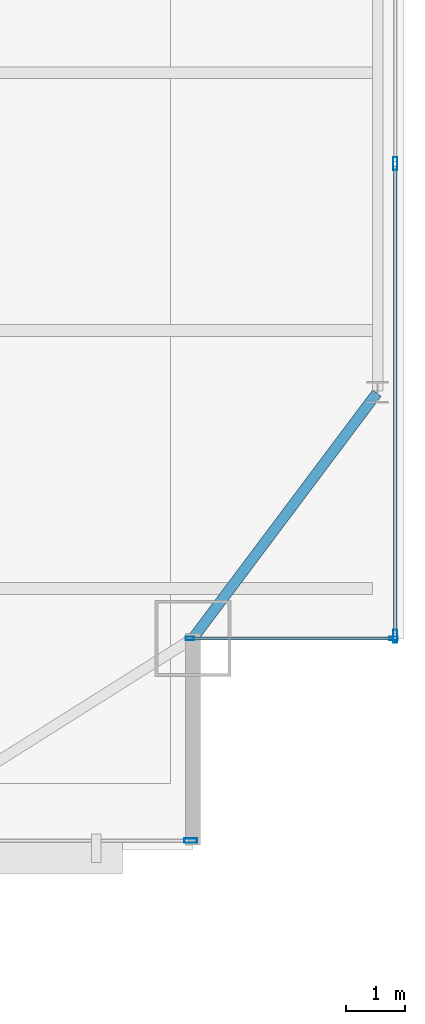
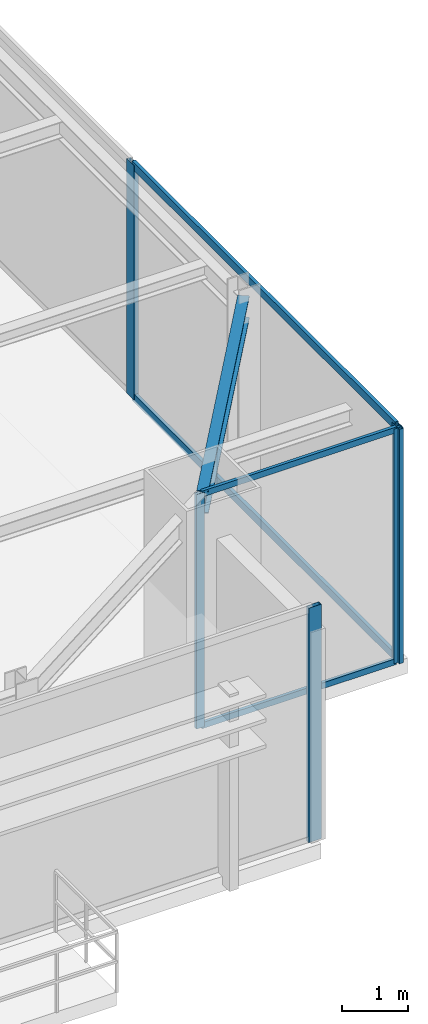
# One storey, part 15 of 25: 9 members, 1 beam, 3 elements without a shape of their own.
"""IFC4 building model written with IfcOpenShell, lengths in metres."""

from ifc_helpers import new_model, si_unit, direction, frame, origin, origin_2d, place, context, subcontext, project, spatial, hollow_rectangle, i_section, extrude, source, transform, mapped, material, layer, layer_set, material_profile, profile_set, type_object, type_shapes, element, aggregate, save


model = new_model("IFC4")

# Units and contexts
model_context = context("Model", 3, precision=1e-05, world=origin(), true_north=direction((0.0, 1.0)))
body_context = subcontext(model_context, "Body", "Model", "MODEL_VIEW")
ifc_project = project(units=[si_unit("LENGTHUNIT", "METRE"), si_unit("AREAUNIT", "SQUARE_METRE"), si_unit("VOLUMEUNIT", "CUBIC_METRE"), si_unit("PLANEANGLEUNIT", "RADIAN"), si_unit("MASSUNIT", "GRAM", prefix="KILO")], contexts=[model_context])

# Site, building, storey
site_placement = place(None, origin())
site = spatial("IfcSite", under=ifc_project, at=site_placement, CompositionType="ELEMENT")
building_placement = place(site_placement, origin())
building = spatial("IfcBuilding", under=site, at=building_placement, Name="Varnel Quay Broadcast Tower", CompositionType="ELEMENT")
storey_placement = place(building_placement, frame((0.0, 0.0, 191.39990234375)))
storey = spatial("IfcBuildingStorey", under=building, at=storey_placement, Name="L47", CompositionType="ELEMENT", Elevation=191.39990234375)

# Beam
ifc_material_1 = material(Name="Structural Steel CSA G40.21 350W", Category="steel")
ifc_material_profile_1 = material_profile(ifc_material_1, i_section(OverallWidth=0.180908203125, OverallDepth=0.4169921875, WebThickness=0.010986328125, FlangeThickness=0.018310546875, FilletRadius=0.011962890625, at=origin_2d()), Name="W410X85")
ifc_profile_set_1 = profile_set([ifc_material_profile_1], Name="Structural Steel CSA G40.21 350W")
beam_type = type_object("IfcBeamType", Name="Beam_W410X85", PredefinedType="SPANDREL", material=ifc_profile_set_1)
shared_shape_1 = source(origin(), body_context, "Body", "SweptSolid", [
    extrude(i_section(OverallWidth=0.180908203125, OverallDepth=0.4169921875, WebThickness=0.010986328125, FlangeThickness=0.018310546875, FilletRadius=0.011962890625, at=origin_2d()), origin(), (0.0, 0.0, 1.0), 5.2099609375),
])
type_shapes(beam_type, [shared_shape_1])
beam_placement = place(storey_placement, frame((57.412109375, 10.81591796875, 4.1416015625), z_axis=(0.6, 0.8, 0.0), x_axis=(-0.8, 0.6, 0.0)))
element("IfcBeam", 1, at=beam_placement, inside=storey, type_object=beam_type, Name="L47 East Spandrel MC-SE-TC-E1", PredefinedType="SPANDREL", context=body_context, shape_type="MappedRepresentation", body=[
    mapped(shared_shape_1, transform((0.0, 0.0, 0.0), x_axis=(1.0, 0.0, 0.0), y_axis=(0.0, 1.0, 0.0), z_axis=(0.0, 0.0, 1.0), scale=1.0)),
])

# Curtain wall, members
ifc_material_2 = material(Name="Anodised Bronze Aluminium 6063-T6", Category="aluminium")
ifc_layer_1 = layer(ifc_material_2, 0.18994140625, Name="Anodised Bronze Aluminium 6063-T6")
ifc_layer_set_1 = layer_set([ifc_layer_1], Name="Anodised Bronze Aluminium 6063-T6")
curtain_wall_type_1 = type_object("IfcCurtainWallType", Name="CW_NotchCorner", PredefinedType="NOTDEFINED", material=ifc_layer_set_1)
curtain_wall_1_placement = place(storey_placement, origin())
curtain_wall_1 = element("IfcCurtainWall", 2, at=curtain_wall_1_placement, inside=storey, type_object=curtain_wall_type_1, Name="L47 SE Notch Curtain Wall", PredefinedType="NOTDEFINED")
ifc_material_profile_2 = material_profile(ifc_material_2, hollow_rectangle(XDim=0.054931640625, YDim=0.110107421875, WallThickness=0.0029296875, at=origin_2d()), Name="ALU55X110X3")
ifc_profile_set_2 = profile_set([ifc_material_profile_2], Name="Anodised Bronze Aluminium 6063-T6")
member_type_1 = type_object("IfcMemberType", Name="Tran_CWS-04", PredefinedType="USERDEFINED", material=ifc_profile_set_2)
shared_shape_2 = source(origin(), body_context, "Body", "SweptSolid", [
    extrude(hollow_rectangle(XDim=0.054931640625, YDim=0.110107421875, WallThickness=0.0029296875, at=origin_2d()), origin(), (0.0, 0.0, 1.0), 3.41015625),
])
type_shapes(member_type_1, [shared_shape_2])
member_1_placement = place(storey_placement, frame((57.3798828125, 10.800048828125, 0.027587890625), z_axis=(1.0, 0.0, 0.0), x_axis=(0.0, 1.0, 0.0)))
member_1 = element("IfcMember", 3, at=member_1_placement, type_object=member_type_1, Name="CWS-04 transom 1.1", ObjectType="TRANSOM", PredefinedType="USERDEFINED", context=body_context, shape_type="MappedRepresentation", body=[
    mapped(shared_shape_2, transform((0.0, 0.0, 0.0), x_axis=(1.0, 0.0, 0.0), y_axis=(0.0, 1.0, 0.0), z_axis=(0.0, 0.0, 1.0), scale=1.0)),
])
member_2_placement = place(storey_placement, frame((57.3798828125, 10.800048828125, 4.322509765625), z_axis=(1.0, 0.0, 0.0), x_axis=(0.0, 1.0, 0.0)))
member_2 = element("IfcMember", 4, at=member_2_placement, type_object=member_type_1, Name="CWS-04 transom 1.2", ObjectType="TRANSOM", PredefinedType="USERDEFINED", context=body_context, shape_type="MappedRepresentation", body=[
    mapped(shared_shape_2, transform((0.0, 0.0, 0.0), x_axis=(1.0, 0.0, 0.0), y_axis=(0.0, 1.0, 0.0), z_axis=(0.0, 0.0, 1.0), scale=1.0)),
])

# Curtain wall, member
ifc_layer_2 = layer(ifc_material_2, 0.18994140625, Name="Anodised Bronze Aluminium 6063-T6")
ifc_layer_set_2 = layer_set([ifc_layer_2], Name="Anodised Bronze Aluminium 6063-T6")
curtain_wall_type_2 = type_object("IfcCurtainWallType", Name="CW_SkyObsHighVis", PredefinedType="NOTDEFINED", material=ifc_layer_set_2)
curtain_wall_2_placement = place(storey_placement, origin())
curtain_wall_2 = element("IfcCurtainWall", 5, at=curtain_wall_2_placement, inside=storey, type_object=curtain_wall_type_2, Name="L47 South Unitised Curtain Wall 3", PredefinedType="NOTDEFINED")
ifc_material_profile_3 = material_profile(ifc_material_2, hollow_rectangle(XDim=0.074951171875, YDim=0.219970703125, WallThickness=0.00390625, at=origin_2d()), Name="ALU75X220X4")
ifc_profile_set_3 = profile_set([ifc_material_profile_3], Name="Anodised Bronze Aluminium 6063-T6")
member_type_2 = type_object("IfcMemberType", Name="Mull_CWS-05", PredefinedType="MULLION", material=ifc_profile_set_3)
shared_shape_3 = source(origin(), body_context, "Body", "SweptSolid", [
    extrude(hollow_rectangle(XDim=0.074951171875, YDim=0.219970703125, WallThickness=0.00390625, at=origin_2d()), origin(), (0.0, 0.0, 1.0), 4.35009765625),
])
type_shapes(member_type_2, [shared_shape_3])
member_3_placement = place(storey_placement, frame((57.362548828125, 7.35009765625, 0.0), z_axis=(0.0, 0.0, 1.0), x_axis=(0.0, 1.0, 0.0)))
member_3 = element("IfcMember", 6, at=member_3_placement, type_object=member_type_2, Name="CWS-05 mullion 2", PredefinedType="MULLION", context=body_context, shape_type="MappedRepresentation", body=[
    mapped(shared_shape_3, transform((0.0, 0.0, 0.0), x_axis=(1.0, 0.0, 0.0), y_axis=(0.0, 1.0, 0.0), z_axis=(0.0, 0.0, 1.0), scale=1.0)),
])
aggregate(curtain_wall_2, [member_3])

# Curtain wall, members
curtain_wall_3_placement = place(storey_placement, origin())
curtain_wall_3 = element("IfcCurtainWall", 7, at=curtain_wall_3_placement, inside=storey, type_object=curtain_wall_type_2, Name="L47 East Unitised Curtain Wall", PredefinedType="NOTDEFINED")
member_4_placement = place(storey_placement, frame((60.85009765625, 10.83740234375, 0.0), z_axis=(0.0, 0.0, 1.0), x_axis=(-1.0, 0.0, 0.0)))
member_4 = element("IfcMember", 8, at=member_4_placement, type_object=member_type_2, Name="CWS-05 mullion 1", PredefinedType="MULLION", context=body_context, shape_type="MappedRepresentation", body=[
    mapped(shared_shape_3, transform((0.0, 0.0, 0.0), x_axis=(1.0, 0.0, 0.0), y_axis=(0.0, 1.0, 0.0), z_axis=(0.0, 0.0, 1.0), scale=1.0)),
])
member_5_placement = place(storey_placement, frame((60.85009765625, 18.89990234375, 0.0), z_axis=(0.0, 0.0, 1.0), x_axis=(-1.0, 0.0, 0.0)))
member_5 = element("IfcMember", 9, at=member_5_placement, type_object=member_type_2, Name="CWS-05 mullion 2", PredefinedType="MULLION", context=body_context, shape_type="MappedRepresentation", body=[
    mapped(shared_shape_3, transform((0.0, 0.0, 0.0), x_axis=(1.0, 0.0, 0.0), y_axis=(0.0, 1.0, 0.0), z_axis=(0.0, 0.0, 1.0), scale=1.0)),
])

# Member
ifc_material_profile_4 = material_profile(ifc_material_2, hollow_rectangle(XDim=0.06005859375, YDim=0.14501953125, WallThickness=0.00341796875, at=origin_2d()), Name="ALU60X145X3.5")
ifc_profile_set_4 = profile_set([ifc_material_profile_4], Name="Anodised Bronze Aluminium 6063-T6")
member_type_3 = type_object("IfcMemberType", Name="Mull_CWS-04", PredefinedType="MULLION", material=ifc_profile_set_4)
shared_shape_4 = source(origin(), body_context, "Body", "SweptSolid", [
    extrude(hollow_rectangle(XDim=0.06005859375, YDim=0.14501953125, WallThickness=0.00341796875, at=origin_2d()), origin(), (0.0, 0.0, 1.0), 4.35009765625),
])
type_shapes(member_type_3, [shared_shape_4])
member_6_placement = place(storey_placement, frame((57.35009765625, 10.800048828125, 0.0), z_axis=(0.0, 0.0, 1.0), x_axis=(0.0, 1.0, 0.0)))
member_6 = element("IfcMember", 10, at=member_6_placement, type_object=member_type_3, Name="CWS-04 mullion 1", PredefinedType="MULLION", context=body_context, shape_type="MappedRepresentation", body=[
    mapped(shared_shape_4, transform((0.0, 0.0, 0.0), x_axis=(1.0, 0.0, 0.0), y_axis=(0.0, 1.0, 0.0), z_axis=(0.0, 0.0, 1.0), scale=1.0)),
])

member_7_placement = place(storey_placement, frame((60.820068359375, 10.800048828125, 0.0), z_axis=(0.0, 0.0, 1.0), x_axis=(0.0, 1.0, 0.0)))
member_7 = element("IfcMember", 11, at=member_7_placement, type_object=member_type_3, Name="CWS-04 mullion 2", PredefinedType="MULLION", context=body_context, shape_type="MappedRepresentation", body=[
    mapped(shared_shape_4, transform((0.0, 0.0, 0.0), x_axis=(1.0, 0.0, 0.0), y_axis=(0.0, 1.0, 0.0), z_axis=(0.0, 0.0, 1.0), scale=1.0)),
])

aggregate(curtain_wall_1, [member_6, member_7, member_1, member_2])

ifc_material_profile_5 = material_profile(ifc_material_2, hollow_rectangle(XDim=0.06005859375, YDim=0.14501953125, WallThickness=0.00341796875, at=origin_2d()), Name="ALU60X145X3.5")
ifc_profile_set_5 = profile_set([ifc_material_profile_5], Name="Anodised Bronze Aluminium 6063-T6")
member_type_4 = type_object("IfcMemberType", Name="Tran_CWS-05", PredefinedType="USERDEFINED", material=ifc_profile_set_5)
shared_shape_5 = source(origin(), body_context, "Body", "SweptSolid", [
    extrude(hollow_rectangle(XDim=0.06005859375, YDim=0.14501953125, WallThickness=0.00341796875, at=origin_2d()), origin(), (0.0, 0.0, 1.0), 7.987548828125),
])
type_shapes(member_type_4, [shared_shape_5])
member_8_placement = place(storey_placement, frame((60.85009765625, 10.875, 0.030029296875), z_axis=(0.0, 1.0, 0.0), x_axis=(-1.0, 0.0, 0.0)))
member_8 = element("IfcMember", 12, at=member_8_placement, type_object=member_type_4, Name="CWS-05 transom 1.1", ObjectType="TRANSOM", PredefinedType="USERDEFINED", context=body_context, shape_type="MappedRepresentation", body=[
    mapped(shared_shape_5, transform((0.0, 0.0, 0.0), x_axis=(1.0, 0.0, 0.0), y_axis=(0.0, 1.0, 0.0), z_axis=(0.0, 0.0, 1.0), scale=1.0)),
])

member_9_placement = place(storey_placement, frame((60.85009765625, 10.875, 4.320068359375), z_axis=(0.0, 1.0, 0.0), x_axis=(-1.0, 0.0, 0.0)))
member_9 = element("IfcMember", 13, at=member_9_placement, type_object=member_type_4, Name="CWS-05 transom 1.2", ObjectType="TRANSOM", PredefinedType="USERDEFINED", context=body_context, shape_type="MappedRepresentation", body=[
    mapped(shared_shape_5, transform((0.0, 0.0, 0.0), x_axis=(1.0, 0.0, 0.0), y_axis=(0.0, 1.0, 0.0), z_axis=(0.0, 0.0, 1.0), scale=1.0)),
])

aggregate(curtain_wall_3, [member_4, member_5, member_8, member_9])

save(model, "model.ifc")
